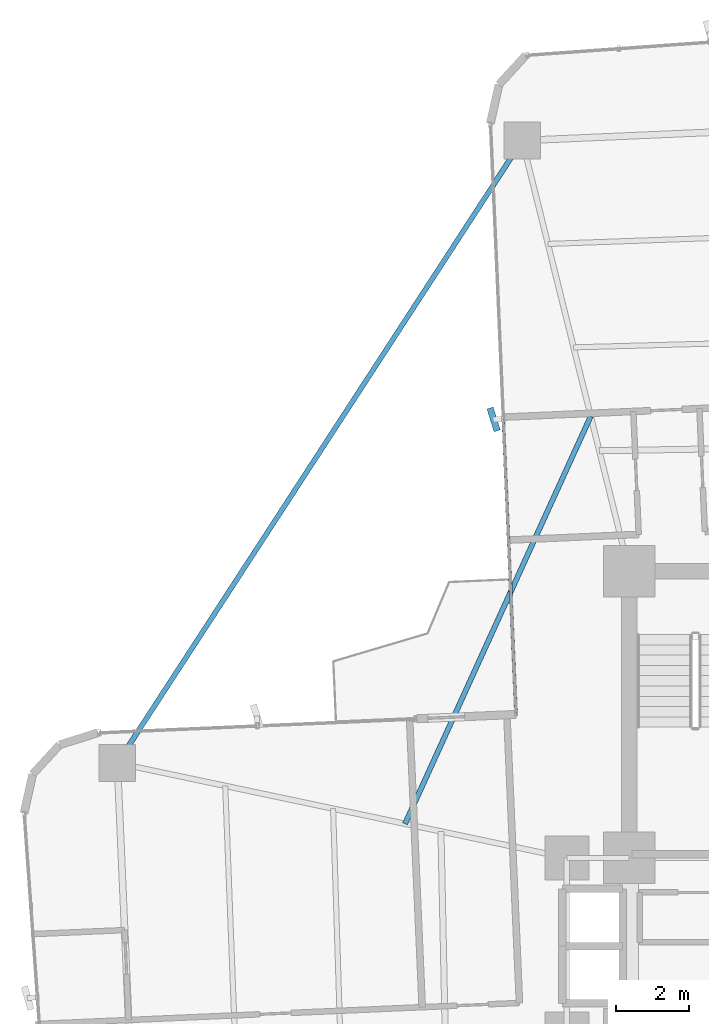
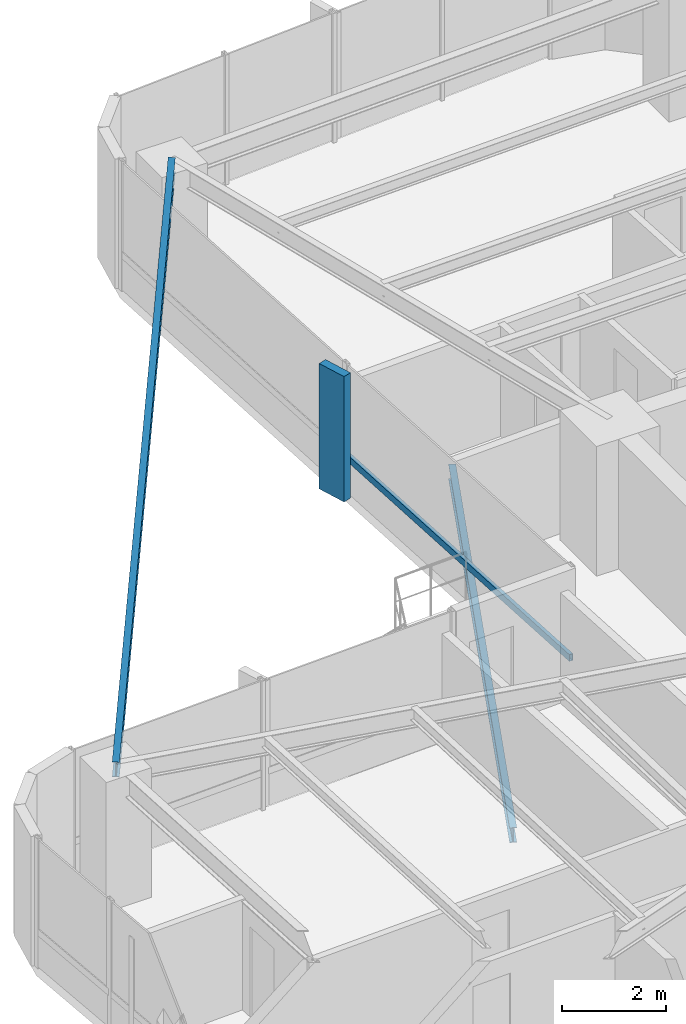
# One storey, part 16 of 26: 2 beams, 2 members, 1 element without a shape of its own.
"""IFC4 building model written with IfcOpenShell, lengths in metres."""

from ifc_helpers import new_model, si_unit, direction, frame, origin, origin_2d, place, context, subcontext, project, spatial, rectangle, hollow_rectangle, i_section, extrude, source, transform, mapped, material, material_profile, profile_set, type_object, element, aggregate, save


model = new_model("IFC4")

# Units and contexts
model_context = context("Model", 3, precision=1e-05, world=origin(), true_north=direction((0.0, 1.0)))
body_context = subcontext(model_context, "Body", "Model", "MODEL_VIEW")
ifc_project = project(units=[si_unit("LENGTHUNIT", "METRE"), si_unit("AREAUNIT", "SQUARE_METRE"), si_unit("VOLUMEUNIT", "CUBIC_METRE"), si_unit("PLANEANGLEUNIT", "RADIAN"), si_unit("MASSUNIT", "GRAM", prefix="KILO")], contexts=[model_context])

# Site, building, storey
site_placement = place(None, origin())
site = spatial("IfcSite", under=ifc_project, at=site_placement, CompositionType="ELEMENT")
building_placement = place(site_placement, origin())
building = spatial("IfcBuilding", under=site, at=building_placement, Name="Sahyath Konkavel Grand Hotel", CompositionType="ELEMENT")
storey_placement = place(building_placement, frame((0.0, 0.0, 134.89990234375)))
storey = spatial("IfcBuildingStorey", under=building, at=storey_placement, Name="L37", CompositionType="ELEMENT", Elevation=134.89990234375)

# Beam
ifc_material_1 = material(Name="Steel E350", Category="steel")
ifc_material_profile_1 = material_profile(ifc_material_1, i_section(OverallWidth=0.139892578125, OverallDepth=0.35009765625, WebThickness=0.008056640625, FlangeThickness=0.01416015625, FilletRadius=0.013916015625, at=origin_2d()), Name="ISMB 350")
ifc_profile_set_1 = profile_set([ifc_material_profile_1], Name="Steel E350")
beam_type_1 = type_object("IfcBeamType", Name="BM-ISMB350", PredefinedType="BEAM", material=ifc_profile_set_1)
shared_shape_1 = source(origin(), body_context, "Body", "SweptSolid", [
    extrude(i_section(OverallWidth=0.139892578125, OverallDepth=0.35009765625, WebThickness=0.008056640625, FlangeThickness=0.01416015625, FilletRadius=0.013916015625, at=origin_2d()), origin(), (0.0, 0.0, 1.0), 20.21533203125),
])
beam_1_placement = place(storey_placement, frame((-6.712890625, 21.927978515625, 2.85498046875), z_axis=(-0.545191244931, -0.838311700056, 0.0), x_axis=(0.838311700056, -0.545191244931, 0.0)))
element("IfcBeam", 1, at=beam_1_placement, inside=storey, type_object=beam_type_1, Name="L37 Re-Entrant Tie Beam NW", PredefinedType="BEAM", context=body_context, shape_type="MappedRepresentation", body=[
    mapped(shared_shape_1, transform((0.0, 0.0, 0.0), scale=1.0)),
])

# Curtain wall, members
ifc_material_2 = material(Name="Anodised Bronze Aluminium & Low-E Glazing", Category="aluminium")
curtain_wall_type = type_object("IfcCurtainWallType", Name="CW-ZONE2", PredefinedType="NOTDEFINED", material=ifc_material_2)
curtain_wall_placement = place(storey_placement, origin())
curtain_wall = element("IfcCurtainWall", 2, at=curtain_wall_placement, inside=storey, type_object=curtain_wall_type, Name="L37 Unitised Curtain Wall F15", PredefinedType="NOTDEFINED")
ifc_material_3 = material(Name="Warm Buff Sandstone Cladding on Concrete C50/60", Category="masonry")
ifc_material_profile_2 = material_profile(ifc_material_3, rectangle(XDim=0.179931640625, YDim=0.64990234375, at=origin_2d()), Name="FIN 180x650")
ifc_profile_set_2 = profile_set([ifc_material_profile_2], Name="Warm Buff Sandstone Cladding on Concrete C50/60")
member_type_1 = type_object("IfcMemberType", Name="FIN-SANDSTONE-650", PredefinedType="MULLION", material=ifc_profile_set_2)
shared_shape_2 = source(origin(), body_context, "Body", "SweptSolid", [
    extrude(rectangle(XDim=0.179931640625, YDim=0.64990234375, at=origin_2d()), origin(), (0.0, 0.0, 1.0), 2.929931640625),
])
member_1_placement = place(storey_placement, frame((-7.492431640625, 14.3369140625, 0.050048828125), z_axis=(0.0, 0.0, 1.0), x_axis=(0.954812686667, 0.297208232354, 0.0)))
member_1 = element("IfcMember", 3, at=member_1_placement, type_object=member_type_1, Name="L37 Sandstone Vertical Solar Fin FIN F15-1", PredefinedType="MULLION", context=body_context, shape_type="MappedRepresentation", body=[
    mapped(shared_shape_2, transform((0.0, 0.0, 0.0), scale=1.0)),
])
ifc_material_4 = material(Name="Anodised Bronze Aluminium", Category="aluminium")
ifc_material_profile_3 = material_profile(ifc_material_4, hollow_rectangle(XDim=0.080078125, YDim=0.159912109375, WallThickness=0.006103515625, at=origin_2d()), Name="RHS 160x80x6")
ifc_profile_set_3 = profile_set([ifc_material_profile_3], Name="Anodised Bronze Aluminium")
member_type_2 = type_object("IfcMemberType", Name="CW-TRN-160", PredefinedType="USERDEFINED", material=ifc_profile_set_3)
shared_shape_3 = source(origin(), body_context, "Body", "SweptSolid", [
    extrude(hollow_rectangle(XDim=0.080078125, YDim=0.159912109375, WallThickness=0.006103515625, at=origin_2d()), origin(), (0.0, 0.0, 1.0), 8.010009765625),
])
member_2_placement = place(storey_placement, frame((-7.232666015625, 14.34814453125, 0.85009765625), z_axis=(0.043615785896, -0.999048378819, 0.0), x_axis=(0.999048378819, 0.043615785896, 0.0)))
member_2 = element("IfcMember", 4, at=member_2_placement, type_object=member_type_2, Name="L37 Curtain Wall Transom F15-1-spandrel", ObjectType="TRANSOM", PredefinedType="USERDEFINED", context=body_context, shape_type="MappedRepresentation", body=[
    mapped(shared_shape_3, transform((0.0, 0.0, 0.0), scale=1.0)),
])
aggregate(curtain_wall, [member_1, member_2])

# Beam
ifc_material_profile_4 = material_profile(ifc_material_1, i_section(OverallWidth=0.139892578125, OverallDepth=0.35009765625, WebThickness=0.008056640625, FlangeThickness=0.01416015625, FilletRadius=0.013916015625, at=origin_2d()), Name="ISMB 350")
ifc_profile_set_4 = profile_set([ifc_material_profile_4], Name="Steel E350")
beam_type_2 = type_object("IfcBeamType", Name="BM-BALC-CANT", PredefinedType="BEAM", material=ifc_profile_set_4)
shared_shape_4 = source(origin(), body_context, "Body", "SweptSolid", [
    extrude(i_section(OverallWidth=0.139892578125, OverallDepth=0.35009765625, WebThickness=0.008056640625, FlangeThickness=0.01416015625, FilletRadius=0.013916015625, at=origin_2d()), origin(), (0.0, 0.0, 1.0), 12.190673828125),
])
beam_2_placement = place(storey_placement, frame((-4.8486328125, 14.422119140625, -0.414794921875), z_axis=(-0.414712580086, -0.909952458054, 0.0), x_axis=(0.909952458054, -0.414712580086, 0.0)))
element("IfcBeam", 5, at=beam_2_placement, inside=storey, type_object=beam_type_2, Name="L37 Balcony Cantilever Support Beam NW", PredefinedType="BEAM", context=body_context, shape_type="MappedRepresentation", body=[
    mapped(shared_shape_4, transform((0.0, 0.0, 0.0), scale=1.0)),
])

save(model, "model.ifc")
